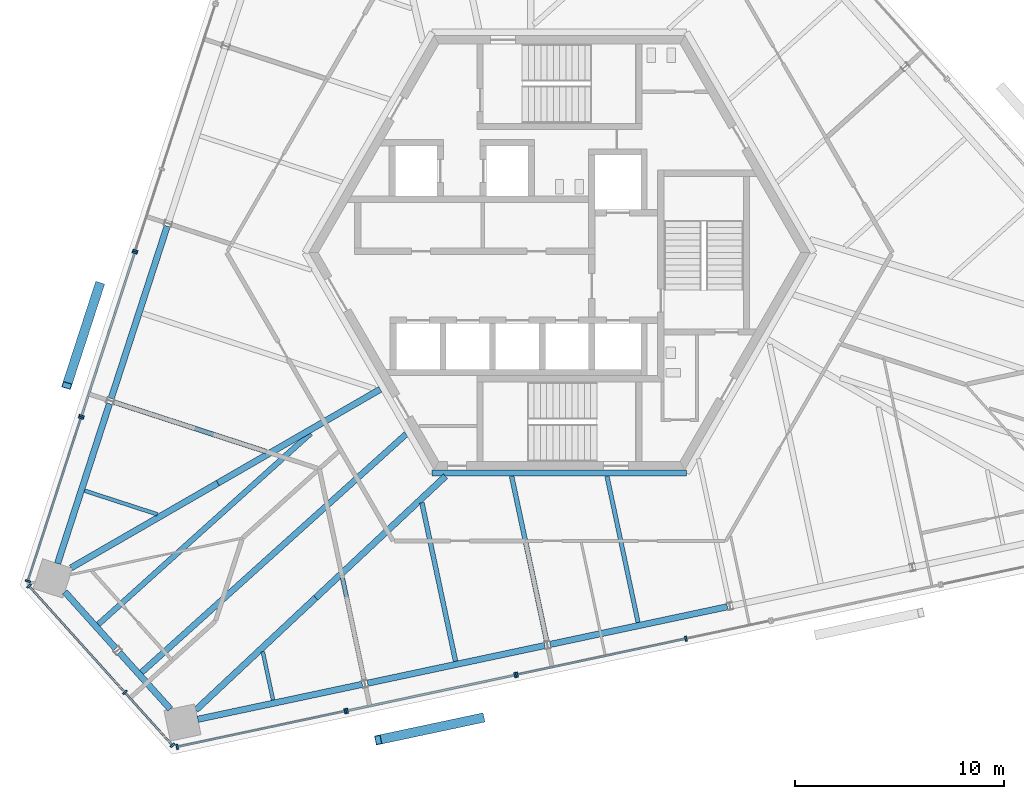
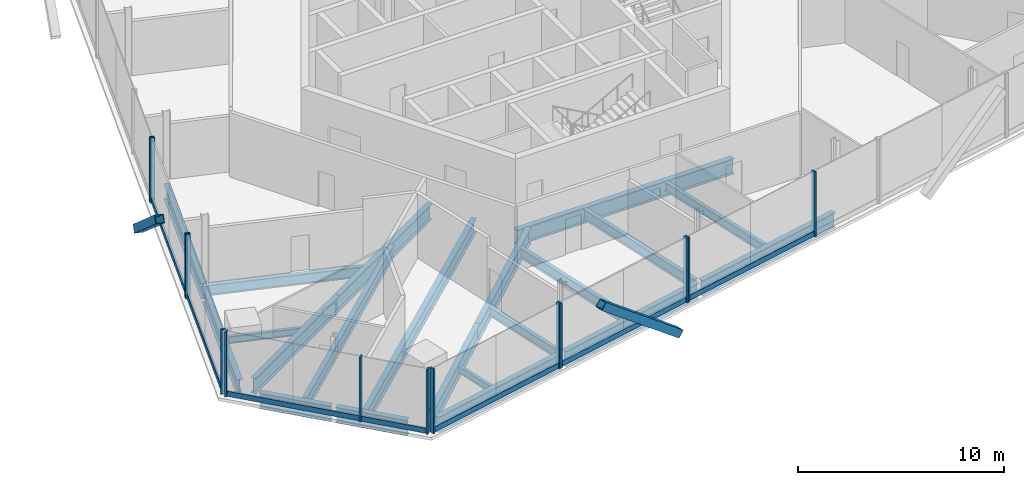
# One storey, part 4 of 14: 23 members, 21 beams, 7 elements without a shape of their own.
"""IFC4 building model written with IfcOpenShell, lengths in metres."""

from ifc_helpers import new_model, si_unit, direction, frame, origin, origin_2d, place, context, subcontext, project, spatial, rectangle, hollow_rectangle, i_section, extrude, source, transform, mapped, material, material_profile, profile_set, type_object, element, aggregate, save


model = new_model("IFC4")

# Units and contexts
model_context = context("Model", 3, precision=1e-05, world=origin(), true_north=direction((0.0, 1.0)))
body_context = subcontext(model_context, "Body", "Model", "MODEL_VIEW")
ifc_project = project(units=[si_unit("LENGTHUNIT", "METRE"), si_unit("AREAUNIT", "SQUARE_METRE"), si_unit("VOLUMEUNIT", "CUBIC_METRE"), si_unit("PLANEANGLEUNIT", "RADIAN"), si_unit("MASSUNIT", "GRAM", prefix="KILO")], contexts=[model_context])

# Site, building, storey
site_placement = place(None, origin())
site = spatial("IfcSite", under=ifc_project, at=site_placement, CompositionType="ELEMENT")
building_placement = place(site_placement, origin())
building = spatial("IfcBuilding", under=site, at=building_placement, Name="Triune Harvest Tower", CompositionType="ELEMENT")
storey_placement = place(building_placement, frame((0.0, 0.0, 284.699951171875)))
storey = spatial("IfcBuildingStorey", under=building, at=storey_placement, Name="L75", CompositionType="ELEMENT", Elevation=284.699951171875)

# Beams
ifc_material_1 = material(Name="Steel ASTM A992 Gr 50", Category="steel")
ifc_material_profile_1 = material_profile(ifc_material_1, i_section(OverallWidth=0.3046875, OverallDepth=0.914306640625, WebThickness=0.0166015625, FlangeThickness=0.02587890625, at=origin_2d()), Name="W36x160")
ifc_profile_set_1 = profile_set([ifc_material_profile_1], Name="Steel ASTM A992 Gr 50")
beam_type_1 = type_object("IfcBeamType", Name="CG-1 Core ring girder W36x160", PredefinedType="BEAM", material=ifc_profile_set_1)
shared_shape_1 = source(origin(), body_context, "Body", "SweptSolid", [
    extrude(i_section(OverallWidth=0.3046875, OverallDepth=0.914306640625, WebThickness=0.0166015625, FlangeThickness=0.02587890625, at=origin_2d()), origin(), (0.0, 0.0, 1.0), 12.17578125),
])
beam_1_placement = place(storey_placement, frame((-6.087890625, -10.544677734375, -0.63720703125), z_axis=(1.0, 0.0, 0.0), x_axis=(0.0, 1.0, 0.0)))
element("IfcBeam", 1, at=beam_1_placement, inside=storey, type_object=beam_type_1, Name="beam/L75/CG5", PredefinedType="BEAM", context=body_context, shape_type="MappedRepresentation", body=[
    mapped(shared_shape_1, transform((0.0, 0.0, 0.0), scale=1.0)),
])
ifc_material_2 = material(Name="Steel ASTM A992 Gr 50", Category="steel")
ifc_material_profile_2 = material_profile(ifc_material_2, i_section(OverallWidth=0.3046875, OverallDepth=0.914306640625, WebThickness=0.0166015625, FlangeThickness=0.02587890625, at=origin_2d()), Name="W36x160")
ifc_profile_set_2 = profile_set([ifc_material_profile_2], Name="Steel ASTM A992 Gr 50")
beam_type_2 = type_object("IfcBeamType", Name="HG-3 Hip girder W36x160", PredefinedType="BEAM", material=ifc_profile_set_2)
shared_shape_2 = source(origin(), body_context, "Body", "SweptSolid", [
    extrude(i_section(OverallWidth=0.3046875, OverallDepth=0.914306640625, WebThickness=0.0166015625, FlangeThickness=0.02587890625, at=origin_2d()), origin(), (0.0, 0.0, 1.0), 8.97265625),
])
beam_2_placement = place(storey_placement, frame((-16.34619140625, -11.02734375, -0.63720703125), z_axis=(0.866024277037, 0.500001951578, 0.0), x_axis=(-0.500001951578, 0.866024277037, 0.0)))
element("IfcBeam", 2, at=beam_2_placement, inside=storey, type_object=beam_type_2, Name="beam/L75/HG5", PredefinedType="BEAM", context=body_context, shape_type="MappedRepresentation", body=[
    mapped(shared_shape_2, transform((0.0, 0.0, 0.0), scale=1.0)),
])
ifc_material_3 = material(Name="Steel ASTM A992 Gr 50", Category="steel")
ifc_material_profile_3 = material_profile(ifc_material_3, i_section(OverallWidth=0.3046875, OverallDepth=0.914306640625, WebThickness=0.0166015625, FlangeThickness=0.02587890625, at=origin_2d()), Name="W36x160")
ifc_profile_set_3 = profile_set([ifc_material_profile_3], Name="Steel ASTM A992 Gr 50")
beam_type_3 = type_object("IfcBeamType", Name="SB-1 Spandrel beam W36x160", PredefinedType="SPANDREL", material=ifc_profile_set_3)
shared_shape_3 = source(origin(), body_context, "Body", "SweptSolid", [
    extrude(i_section(OverallWidth=0.3046875, OverallDepth=0.914306640625, WebThickness=0.0166015625, FlangeThickness=0.02587890625, at=origin_2d()), origin(), (0.0, 0.0, 1.0), 8.0498046875),
])
beam_3_placement = place(storey_placement, frame((-21.529296875, -7.220703125, -0.63720703125), z_axis=(-0.30902160762, -0.951055017348, 0.0), x_axis=(0.951055017348, -0.30902160762, 0.0)))
element("IfcBeam", 3, at=beam_3_placement, inside=storey, type_object=beam_type_3, Name="beam/L75/SB12", PredefinedType="SPANDREL", context=body_context, shape_type="MappedRepresentation", body=[
    mapped(shared_shape_3, transform((0.0, 0.0, 0.0), scale=1.0)),
])
shared_shape_4 = source(origin(), body_context, "Body", "SweptSolid", [
    extrude(i_section(OverallWidth=0.3046875, OverallDepth=0.914306640625, WebThickness=0.0166015625, FlangeThickness=0.02587890625, at=origin_2d()), origin(), (0.0, 0.0, 1.0), 8.67138671875),
])
for number, where, z_axis, x_axis, name in (
    (4, (-18.7705078125, 1.270263671875, -0.63720703125), (-0.309022409974, -0.951054756643, 0.0), (0.951054756643, -0.309022409974, 0.0), "beam/L75/SB11"),
    (5, (-9.1806640625, -20.603271484375, -0.63720703125), (0.978145539793, 0.207921386546, 0.0), (-0.207921386546, 0.978145539793, 0.0), "beam/L75/SB16"),
    (6, (-0.44775390625, -18.7470703125, -0.63720703125), (0.978145539793, 0.207921386546, 0.0), (-0.207921386546, 0.978145539793, 0.0), "beam/L75/SB17"),
):
    element("IfcBeam", number, at=place(storey_placement, frame(where, z_axis=z_axis, x_axis=x_axis)), inside=storey, type_object=beam_type_3, Name=name, PredefinedType="SPANDREL", context=body_context, shape_type="MappedRepresentation", body=[
        mapped(shared_shape_4, transform((0.0, 0.0, 0.0), scale=1.0)),
    ])
shared_shape_5 = source(origin(), body_context, "Body", "SweptSolid", [
    extrude(i_section(OverallWidth=0.3046875, OverallDepth=0.914306640625, WebThickness=0.0166015625, FlangeThickness=0.02587890625, at=origin_2d()), origin(), (0.0, 0.0, 1.0), 3.645751953125),
])
for number, where, z_axis, x_axis, name in (
    (7, (-23.669189453125, -16.2333984375, -0.63720703125), (0.669138606654, -0.743137621901, 0.0), (0.743137621901, 0.669138606654, 0.0), "beam/L75/SB13"),
    (8, (-21.05810546875, -19.13330078125, -0.63720703125), (0.669138606654, -0.743137621901, 0.0), (0.743137621901, 0.669138606654, 0.0), "beam/L75/SB14"),
):
    element("IfcBeam", number, at=place(storey_placement, frame(where, z_axis=z_axis, x_axis=x_axis)), inside=storey, type_object=beam_type_3, Name=name, PredefinedType="SPANDREL", context=body_context, shape_type="MappedRepresentation", body=[
        mapped(shared_shape_5, transform((0.0, 0.0, 0.0), scale=1.0)),
    ])
shared_shape_6 = source(origin(), body_context, "Body", "SweptSolid", [
    extrude(i_section(OverallWidth=0.3046875, OverallDepth=0.914306640625, WebThickness=0.0166015625, FlangeThickness=0.02587890625, at=origin_2d()), origin(), (0.0, 0.0, 1.0), 8.049560546875),
])
beam_4_placement = place(storey_placement, frame((-17.305419921875, -22.330322265625, -0.63720703125), z_axis=(0.978148597907, 0.207906999431, 0.0), x_axis=(-0.207906999431, 0.978148597907, 0.0)))
element("IfcBeam", 9, at=beam_4_placement, inside=storey, type_object=beam_type_3, Name="beam/L75/SB15", PredefinedType="SPANDREL", context=body_context, shape_type="MappedRepresentation", body=[
    mapped(shared_shape_6, transform((0.0, 0.0, 0.0), scale=1.0)),
])
shared_shape_7 = source(origin(), body_context, "Body", "SweptSolid", [
    extrude(i_section(OverallWidth=0.3046875, OverallDepth=0.914306640625, WebThickness=0.0166015625, FlangeThickness=0.02587890625, at=origin_2d()), origin(), (0.0, 0.0, 1.0), 8.11572265625),
])
beam_5_placement = place(storey_placement, frame((-23.37451171875, -15.085205078125, -0.63720703125), z_axis=(0.866022271607, 0.500005425051, 0.0), x_axis=(-0.500005425051, 0.866022271607, 0.0)))
element("IfcBeam", 10, at=beam_5_placement, inside=storey, type_object=beam_type_2, Name="beam/L75/HG4", PredefinedType="BEAM", context=body_context, shape_type="MappedRepresentation", body=[
    mapped(shared_shape_7, transform((0.0, 0.0, 0.0), scale=1.0)),
])
shared_shape_8 = source(origin(), body_context, "Body", "SweptSolid", [
    extrude(i_section(OverallWidth=0.3046875, OverallDepth=0.914306640625, WebThickness=0.0166015625, FlangeThickness=0.02587890625, at=origin_2d()), origin(), (0.0, 0.0, 1.0), 7.858642578125),
])
beam_6_placement = place(storey_placement, frame((-17.399658203125, -21.88720703125, -0.63720703125), z_axis=(0.729902338859, 0.683551443367, 0.0), x_axis=(-0.683551443367, 0.729902338859, 0.0)))
element("IfcBeam", 11, at=beam_6_placement, inside=storey, type_object=beam_type_2, Name="beam/L75/HG6", PredefinedType="BEAM", context=body_context, shape_type="MappedRepresentation", body=[
    mapped(shared_shape_8, transform((0.0, 0.0, 0.0), scale=1.0)),
])
shared_shape_9 = source(origin(), body_context, "Body", "SweptSolid", [
    extrude(i_section(OverallWidth=0.3046875, OverallDepth=0.914306640625, WebThickness=0.0166015625, FlangeThickness=0.02587890625, at=origin_2d()), origin(), (0.0, 0.0, 1.0), 8.511962890625),
])
beam_7_placement = place(storey_placement, frame((-11.66357421875, -16.515380859375, -0.63720703125), z_axis=(0.729902036757, 0.683551765954, 0.0), x_axis=(-0.683551765954, 0.729902036757, 0.0)))
element("IfcBeam", 12, at=beam_7_placement, inside=storey, type_object=beam_type_2, Name="beam/L75/HG7", PredefinedType="BEAM", context=body_context, shape_type="MappedRepresentation", body=[
    mapped(shared_shape_9, transform((0.0, 0.0, 0.0), scale=1.0)),
])
ifc_material_4 = material(Name="Steel ASTM A992 Gr 50", Category="steel")
ifc_material_profile_4 = material_profile(ifc_material_4, i_section(OverallWidth=0.180908203125, OverallDepth=0.41650390625, WebThickness=0.010986328125, FlangeThickness=0.01806640625, at=origin_2d()), Name="W16x57")
ifc_profile_set_4 = profile_set([ifc_material_profile_4], Name="Steel ASTM A992 Gr 50")
beam_type_4 = type_object("IfcBeamType", Name="JT-1 Floor joist W16x57", PredefinedType="JOIST", material=ifc_profile_set_4)
shared_shape_10 = source(origin(), body_context, "Body", "SweptSolid", [
    extrude(i_section(OverallWidth=0.180908203125, OverallDepth=0.41650390625, WebThickness=0.010986328125, FlangeThickness=0.01806640625, at=origin_2d()), origin(), (0.0, 0.0, 1.0), 2.364990234375),
])
beam_8_placement = place(storey_placement, frame((-13.704345703125, -21.4091796875, -0.38818359375), z_axis=(-0.207914315996, 0.978147042731, 0.0), x_axis=(-0.978147042731, -0.207914315996, 0.0)))
element("IfcBeam", 13, at=beam_8_placement, inside=storey, type_object=beam_type_4, Name="beam/L75/JT23", PredefinedType="JOIST", context=body_context, shape_type="MappedRepresentation", body=[
    mapped(shared_shape_10, transform((0.0, 0.0, 0.0), scale=1.0)),
])
ifc_material_5 = material(Name="Steel ASTM A992 Gr 50", Category="steel")
ifc_material_profile_5 = material_profile(ifc_material_5, i_section(OverallWidth=0.2099609375, OverallDepth=0.535888671875, WebThickness=0.010986328125, FlangeThickness=0.017333984375, at=origin_2d()), Name="W21x68")
ifc_profile_set_5 = profile_set([ifc_material_profile_5], Name="Steel ASTM A992 Gr 50")
beam_type_5 = type_object("IfcBeamType", Name="JT-2 Floor joist W21x68", PredefinedType="JOIST", material=ifc_profile_set_5)
shared_shape_11 = source(origin(), body_context, "Body", "SweptSolid", [
    extrude(i_section(OverallWidth=0.2099609375, OverallDepth=0.535888671875, WebThickness=0.010986328125, FlangeThickness=0.017333984375, at=origin_2d()), origin(), (0.0, 0.0, 1.0), 5.031982421875),
])
beam_9_placement = place(storey_placement, frame((-9.34375, -20.45361328125, -0.447998046875), z_axis=(-0.207895312057, 0.978151082004, 0.0), x_axis=(-0.978151082004, -0.207895312057, 0.0)))
element("IfcBeam", 14, at=beam_9_placement, inside=storey, type_object=beam_type_5, Name="beam/L75/JT24", PredefinedType="JOIST", context=body_context, shape_type="MappedRepresentation", body=[
    mapped(shared_shape_11, transform((0.0, 0.0, 0.0), scale=1.0)),
])
ifc_material_6 = material(Name="Steel ASTM A992 Gr 50", Category="steel")
ifc_material_profile_6 = material_profile(ifc_material_6, i_section(OverallWidth=0.22900390625, OverallDepth=0.612060546875, WebThickness=0.011962890625, FlangeThickness=0.01953125, at=origin_2d()), Name="W24x84")
ifc_profile_set_6 = profile_set([ifc_material_profile_6], Name="Steel ASTM A992 Gr 50")
beam_type_6 = type_object("IfcBeamType", Name="JT-3 Floor joist W24x84", PredefinedType="JOIST", material=ifc_profile_set_6)
shared_shape_12 = source(origin(), body_context, "Body", "SweptSolid", [
    extrude(i_section(OverallWidth=0.22900390625, OverallDepth=0.612060546875, WebThickness=0.011962890625, FlangeThickness=0.01953125, at=origin_2d()), origin(), (0.0, 0.0, 1.0), 7.755126953125),
])
beam_10_placement = place(storey_placement, frame((-4.971435546875, -19.552734375, -0.486083984375), z_axis=(-0.20790130149, 0.978149808996, 0.0), x_axis=(-0.978149808996, -0.20790130149, 0.0)))
element("IfcBeam", 15, at=beam_10_placement, inside=storey, type_object=beam_type_6, Name="beam/L75/JT25", PredefinedType="JOIST", context=body_context, shape_type="MappedRepresentation", body=[
    mapped(shared_shape_12, transform((0.0, 0.0, 0.0), scale=1.0)),
])
shared_shape_13 = source(origin(), body_context, "Body", "SweptSolid", [
    extrude(i_section(OverallWidth=0.22900390625, OverallDepth=0.612060546875, WebThickness=0.011962890625, FlangeThickness=0.01953125, at=origin_2d()), origin(), (0.0, 0.0, 1.0), 8.076904296875),
])
beam_11_placement = place(storey_placement, frame((-0.61083984375, -18.597412109375, -0.486083984375), z_axis=(-0.207902137341, 0.978149631339, 0.0), x_axis=(-0.978149631339, -0.207902137341, 0.0)))
element("IfcBeam", 16, at=beam_11_placement, inside=storey, type_object=beam_type_6, Name="beam/L75/JT26", PredefinedType="JOIST", context=body_context, shape_type="MappedRepresentation", body=[
    mapped(shared_shape_13, transform((0.0, 0.0, 0.0), scale=1.0)),
])
shared_shape_14 = source(origin(), body_context, "Body", "SweptSolid", [
    extrude(i_section(OverallWidth=0.22900390625, OverallDepth=0.612060546875, WebThickness=0.011962890625, FlangeThickness=0.01953125, at=origin_2d()), origin(), (0.0, 0.0, 1.0), 7.6533203125),
])
beam_12_placement = place(storey_placement, frame((-21.318115234375, -7.154541015625, -0.486083984375), z_axis=(0.951057977144, -0.309012498309, 0.0), x_axis=(0.309012498309, 0.951057977144, 0.0)))
element("IfcBeam", 17, at=beam_12_placement, inside=storey, type_object=beam_type_6, Name="beam/L75/JT19", PredefinedType="JOIST", context=body_context, shape_type="MappedRepresentation", body=[
    mapped(shared_shape_14, transform((0.0, 0.0, 0.0), scale=1.0)),
])
shared_shape_15 = source(origin(), body_context, "Body", "SweptSolid", [
    extrude(i_section(OverallWidth=0.180908203125, OverallDepth=0.41650390625, WebThickness=0.010986328125, FlangeThickness=0.01806640625, at=origin_2d()), origin(), (0.0, 0.0, 1.0), 3.661865234375),
])
beam_13_placement = place(storey_placement, frame((-22.72412109375, -11.391357421875, -0.38818359375), z_axis=(0.951056113966, -0.309018232614, 0.0), x_axis=(0.309018232614, 0.951056113966, 0.0)))
element("IfcBeam", 18, at=beam_13_placement, inside=storey, type_object=beam_type_4, Name="beam/L75/JT20", PredefinedType="JOIST", context=body_context, shape_type="MappedRepresentation", body=[
    mapped(shared_shape_15, transform((0.0, 0.0, 0.0), scale=1.0)),
])
ifc_material_7 = material(Name="Steel ASTM A992 Gr 50", Category="steel")
ifc_material_profile_7 = material_profile(ifc_material_7, i_section(OverallWidth=0.2666015625, OverallDepth=0.7568359375, WebThickness=0.013916015625, FlangeThickness=0.019287109375, at=origin_2d()), Name="W30x108")
ifc_profile_set_7 = profile_set([ifc_material_profile_7], Name="Steel ASTM A992 Gr 50")
beam_type_7 = type_object("IfcBeamType", Name="JT-5 Floor joist W30x108", PredefinedType="JOIST", material=ifc_profile_set_7)
shared_shape_16 = source(origin(), body_context, "Body", "SweptSolid", [
    extrude(i_section(OverallWidth=0.2666015625, OverallDepth=0.7568359375, WebThickness=0.013916015625, FlangeThickness=0.019287109375, at=origin_2d()), origin(), (0.0, 0.0, 1.0), 13.667724609375),
])
beam_14_placement = place(storey_placement, frame((-22.0654296875, -17.78662109375, -0.558349609375), z_axis=(0.743148465952, 0.66912656318, 0.0), x_axis=(-0.66912656318, 0.743148465952, 0.0)))
element("IfcBeam", 19, at=beam_14_placement, inside=storey, type_object=beam_type_7, Name="beam/L75/JT21", PredefinedType="JOIST", context=body_context, shape_type="MappedRepresentation", body=[
    mapped(shared_shape_16, transform((0.0, 0.0, 0.0), scale=1.0)),
])
ifc_material_8 = material(Name="Steel ASTM A992 Gr 50", Category="steel")
ifc_material_profile_8 = material_profile(ifc_material_8, i_section(OverallWidth=0.2919921875, OverallDepth=0.8408203125, WebThickness=0.0146484375, FlangeThickness=0.021728515625, at=origin_2d()), Name="W33x130")
ifc_profile_set_8 = profile_set([ifc_material_profile_8], Name="Steel ASTM A992 Gr 50")
beam_type_8 = type_object("IfcBeamType", Name="JT-6 Floor joist W33x130", PredefinedType="JOIST", material=ifc_profile_set_8)
shared_shape_17 = source(origin(), body_context, "Body", "SweptSolid", [
    extrude(i_section(OverallWidth=0.2919921875, OverallDepth=0.8408203125, WebThickness=0.0146484375, FlangeThickness=0.021728515625, at=origin_2d()), origin(), (0.0, 0.0, 1.0), 17.03466796875),
])
beam_15_placement = place(storey_placement, frame((-19.99560546875, -20.08544921875, -0.600341796875), z_axis=(0.743143047387, 0.669132581123, 0.0), x_axis=(-0.669132581123, 0.743143047387, 0.0)))
element("IfcBeam", 20, at=beam_15_placement, inside=storey, type_object=beam_type_8, Name="beam/L75/JT22", PredefinedType="JOIST", context=body_context, shape_type="MappedRepresentation", body=[
    mapped(shared_shape_17, transform((0.0, 0.0, 0.0), scale=1.0)),
])
shared_shape_18 = source(origin(), body_context, "Body", "SweptSolid", [
    extrude(i_section(OverallWidth=0.2099609375, OverallDepth=0.535888671875, WebThickness=0.010986328125, FlangeThickness=0.017333984375, at=origin_2d()), origin(), (0.0, 0.0, 1.0), 7.156005859375),
])
beam_16_placement = place(storey_placement, frame((3.761474609375, -17.696533203125, -0.447998046875), z_axis=(-0.207911801049, 0.978147577303, 0.0), x_axis=(-0.978147577303, -0.207911801049, 0.0)))
element("IfcBeam", 21, at=beam_16_placement, inside=storey, type_object=beam_type_5, Name="beam/L75/JT27", PredefinedType="JOIST", context=body_context, shape_type="MappedRepresentation", body=[
    mapped(shared_shape_18, transform((0.0, 0.0, 0.0), scale=1.0)),
])

# Members
ifc_material_9 = material(Name="Steel ASTM A572 Gr 50", Category="steel")
ifc_material_profile_9 = material_profile(ifc_material_9, hollow_rectangle(XDim=0.449951171875, YDim=0.449951171875, WallThickness=0.02490234375, at=origin_2d()), Name="Box 450x450x25")
ifc_profile_set_9 = profile_set([ifc_material_profile_9], Name="Steel ASTM A572 Gr 50")
member_type_1 = type_object("IfcMemberType", Name="BR-4 Brace Box 450x450x25", PredefinedType="BRACE", material=ifc_profile_set_9)
shared_shape_19 = source(origin(), body_context, "Body", "SweptSolid", [
    extrude(hollow_rectangle(XDim=0.449951171875, YDim=0.449951171875, WallThickness=0.02490234375, at=origin_2d()), origin(), (0.0, 0.0, 1.0), 6.4326171875),
])
member_1_placement = place(storey_placement, frame((-3.746826171875, -22.2705078125, 0.0), z_axis=(-0.766029669925, -0.162823528909, 0.621841654465), x_axis=(0.207910342213, -0.978147887388, 0.0)))
element("IfcMember", 22, at=member_1_placement, inside=storey, type_object=member_type_1, Name="brace/B7-F5/d2/8", PredefinedType="BRACE", context=body_context, shape_type="MappedRepresentation", body=[
    mapped(shared_shape_19, transform((0.0, 0.0, 0.0), scale=1.0)),
])
shared_shape_20 = source(origin(), body_context, "Body", "SweptSolid", [
    extrude(hollow_rectangle(XDim=0.449951171875, YDim=0.449951171875, WallThickness=0.02490234375, at=origin_2d()), origin(), (0.0, 0.0, 1.0), 6.432373046875),
])
member_2_placement = place(storey_placement, frame((-22.01708984375, -1.568359375, 0.0), z_axis=(-0.241996489905, -0.744814792645, 0.621842925127), x_axis=(0.951059708424, -0.309007169839, 0.0)))
element("IfcMember", 23, at=member_2_placement, inside=storey, type_object=member_type_1, Name="brace/B7-F3/d1/8", PredefinedType="BRACE", context=body_context, shape_type="MappedRepresentation", body=[
    mapped(shared_shape_20, transform((0.0, 0.0, 0.0), scale=1.0)),
])

# Curtain wall, member
ifc_material_10 = material(Name="Aluminium bronze anodised", Category="aluminium")
curtain_wall_type_1 = type_object("IfcCurtainWallType", Name="CW-4 Sky lobby tall glazing wall", PredefinedType="NOTDEFINED", material=ifc_material_10)
curtain_wall_1_placement = place(storey_placement, origin())
curtain_wall_1 = element("IfcCurtainWall", 24, at=curtain_wall_1_placement, inside=storey, type_object=curtain_wall_type_1, Name="CW-4 B7-F3 L75 run 2001")
ifc_material_11 = material(Name="Aluminium bronze anodised", Category="aluminium")
ifc_material_profile_10 = material_profile(ifc_material_11, rectangle(XDim=0.25, YDim=0.090087890625, at=origin_2d()), Name="MU-4 mullion 90 x 250")
ifc_profile_set_10 = profile_set([ifc_material_profile_10], Name="Aluminium bronze anodised")
member_type_2 = type_object("IfcMemberType", Name="MU-4 mullion 90 x 250", PredefinedType="MULLION", material=ifc_profile_set_10)
shared_shape_21 = source(origin(), body_context, "Body", "SweptSolid", [
    extrude(rectangle(XDim=0.25, YDim=0.090087890625, at=origin_2d()), origin(), (0.0, 0.0, 1.0), 3.820068359375),
])
member_3_placement = place(storey_placement, frame((-20.29638671875, 0.08740234375, 0.0), z_axis=(0.0, 0.0, 1.0), x_axis=(0.951054284615, -0.309023862696, 0.0)))
member_3 = element("IfcMember", 25, at=member_3_placement, type_object=member_type_2, Name="CW-4 mullion B7-F3 2001.4", PredefinedType="MULLION", context=body_context, shape_type="MappedRepresentation", body=[
    mapped(shared_shape_21, transform((0.0, 0.0, 0.0), scale=1.0)),
])
aggregate(curtain_wall_1, [member_3])

# Curtain wall, members
ifc_material_12 = material(Name="Aluminium bronze anodised", Category="aluminium")
curtain_wall_type_2 = type_object("IfcCurtainWallType", Name="CW-9 Sky lobby tall glazing wall with insulated spandrel infill", PredefinedType="NOTDEFINED", material=ifc_material_12)
curtain_wall_2_placement = place(storey_placement, origin())
curtain_wall_2 = element("IfcCurtainWall", 26, at=curtain_wall_2_placement, inside=storey, type_object=curtain_wall_type_2, Name="CW-9 B7-F3 L75 run 3001")
member_4_placement = place(storey_placement, frame((-20.32421875, 0.001953125, 0.0), z_axis=(0.0, 0.0, 1.0), x_axis=(0.951057407868, -0.309014250382, 0.0)))
member_4 = element("IfcMember", 27, at=member_4_placement, type_object=member_type_2, Name="CW-9 mullion B7-F3 3001.1", PredefinedType="MULLION", context=body_context, shape_type="MappedRepresentation", body=[
    mapped(shared_shape_21, transform((0.0, 0.0, 0.0), scale=1.0)),
])
member_5_placement = place(storey_placement, frame((-22.86474609375, -7.8173828125, 0.0), z_axis=(0.0, 0.0, 1.0), x_axis=(0.951057407868, -0.309014250382, 0.0)))
member_5 = element("IfcMember", 28, at=member_5_placement, type_object=member_type_2, Name="CW-9 mullion B7-F3 3001.3", PredefinedType="MULLION", context=body_context, shape_type="MappedRepresentation", body=[
    mapped(shared_shape_21, transform((0.0, 0.0, 0.0), scale=1.0)),
])

curtain_wall_3_placement = place(storey_placement, origin())
curtain_wall_3 = element("IfcCurtainWall", 29, at=curtain_wall_3_placement, inside=storey, type_object=curtain_wall_type_1, Name="CW-4 B7-F3 L75 run 4001")
member_6_placement = place(storey_placement, frame((-22.892578125, -7.90283203125, 0.0), z_axis=(0.0, 0.0, 1.0), x_axis=(0.95105786974, -0.309012828869, 0.0)))
member_6 = element("IfcMember", 30, at=member_6_placement, type_object=member_type_2, Name="CW-4 mullion B7-F3 4001.1", PredefinedType="MULLION", context=body_context, shape_type="MappedRepresentation", body=[
    mapped(shared_shape_21, transform((0.0, 0.0, 0.0), scale=1.0)),
])
member_7_placement = place(storey_placement, frame((-25.43310546875, -15.72216796875, 0.0), z_axis=(0.0, 0.0, 1.0), x_axis=(0.95105786974, -0.309012828869, 0.0)))
member_7 = element("IfcMember", 31, at=member_7_placement, type_object=member_type_2, Name="CW-4 mullion B7-F3 4001.3", PredefinedType="MULLION", context=body_context, shape_type="MappedRepresentation", body=[
    mapped(shared_shape_21, transform((0.0, 0.0, 0.0), scale=1.0)),
])

curtain_wall_4_placement = place(storey_placement, origin())
curtain_wall_4 = element("IfcCurtainWall", 32, at=curtain_wall_4_placement, inside=storey, type_object=curtain_wall_type_1, Name="CW-4 B7-F4 L75 run 1")
member_8_placement = place(storey_placement, frame((-25.384521484375, -15.950927734375, 0.0), z_axis=(0.0, 0.0, 1.0), x_axis=(0.743143542297, 0.669132031472, 0.0)))
member_8 = element("IfcMember", 33, at=member_8_placement, type_object=member_type_2, Name="CW-4 mullion B7-F4 1.1", PredefinedType="MULLION", context=body_context, shape_type="MappedRepresentation", body=[
    mapped(shared_shape_21, transform((0.0, 0.0, 0.0), scale=1.0)),
])
member_9_placement = place(storey_placement, frame((-20.7958984375, -21.046875, 0.0), z_axis=(0.0, 0.0, 1.0), x_axis=(0.743143542297, 0.669132031472, 0.0)))
member_9 = element("IfcMember", 34, at=member_9_placement, type_object=member_type_2, Name="CW-4 mullion B7-F4 1.3", PredefinedType="MULLION", context=body_context, shape_type="MappedRepresentation", body=[
    mapped(shared_shape_21, transform((0.0, 0.0, 0.0), scale=1.0)),
])
member_10_placement = place(storey_placement, frame((-18.516845703125, -23.578125, 0.0), z_axis=(0.0, 0.0, 1.0), x_axis=(0.743143542297, 0.669132031472, 0.0)))
member_10 = element("IfcMember", 35, at=member_10_placement, type_object=member_type_2, Name="CW-4 mullion B7-F4 1.4", PredefinedType="MULLION", context=body_context, shape_type="MappedRepresentation", body=[
    mapped(shared_shape_21, transform((0.0, 0.0, 0.0), scale=1.0)),
])

curtain_wall_5_placement = place(storey_placement, origin())
curtain_wall_5 = element("IfcCurtainWall", 36, at=curtain_wall_5_placement, inside=storey, type_object=curtain_wall_type_1, Name="CW-4 B7-F5 L75 run 1")
member_11_placement = place(storey_placement, frame((-18.29443359375, -23.650390625, 0.0), z_axis=(0.0, 0.0, 1.0), x_axis=(-0.207912869922, 0.978147350107, 0.0)))
member_11 = element("IfcMember", 37, at=member_11_placement, type_object=member_type_2, Name="CW-4 mullion B7-F5 1.1", PredefinedType="MULLION", context=body_context, shape_type="MappedRepresentation", body=[
    mapped(shared_shape_21, transform((0.0, 0.0, 0.0), scale=1.0)),
])
member_12_placement = place(storey_placement, frame((-10.25244140625, -21.94091796875, 0.0), z_axis=(0.0, 0.0, 1.0), x_axis=(-0.207912869922, 0.978147350107, 0.0)))
member_12 = element("IfcMember", 38, at=member_12_placement, type_object=member_type_2, Name="CW-4 mullion B7-F5 1.3", PredefinedType="MULLION", context=body_context, shape_type="MappedRepresentation", body=[
    mapped(shared_shape_21, transform((0.0, 0.0, 0.0), scale=1.0)),
])

curtain_wall_6_placement = place(storey_placement, origin())
curtain_wall_6 = element("IfcCurtainWall", 39, at=curtain_wall_6_placement, inside=storey, type_object=curtain_wall_type_2, Name="CW-9 B7-F5 L75 run 1001")
member_13_placement = place(storey_placement, frame((-10.16455078125, -21.92236328125, 0.0), z_axis=(0.0, 0.0, 1.0), x_axis=(-0.207904370622, 0.978149156661, 0.0)))
member_13 = element("IfcMember", 40, at=member_13_placement, type_object=member_type_2, Name="CW-9 mullion B7-F5 1001.1", PredefinedType="MULLION", context=body_context, shape_type="MappedRepresentation", body=[
    mapped(shared_shape_21, transform((0.0, 0.0, 0.0), scale=1.0)),
])
member_14_placement = place(storey_placement, frame((-2.12255859375, -20.212890625, 0.0), z_axis=(0.0, 0.0, 1.0), x_axis=(-0.207904370622, 0.978149156661, 0.0)))
member_14 = element("IfcMember", 41, at=member_14_placement, type_object=member_type_2, Name="CW-9 mullion B7-F5 1001.3", PredefinedType="MULLION", context=body_context, shape_type="MappedRepresentation", body=[
    mapped(shared_shape_21, transform((0.0, 0.0, 0.0), scale=1.0)),
])

curtain_wall_7_placement = place(storey_placement, origin())
curtain_wall_7 = element("IfcCurtainWall", 42, at=curtain_wall_7_placement, inside=storey, type_object=curtain_wall_type_1, Name="CW-4 B7-F5 L75 run 2001")
member_15_placement = place(storey_placement, frame((-2.03466796875, -20.1943359375, 0.0), z_axis=(0.0, 0.0, 1.0), x_axis=(-0.207917272266, 0.978146414344, 0.0)))
member_15 = element("IfcMember", 43, at=member_15_placement, type_object=member_type_2, Name="CW-4 mullion B7-F5 2001.1", PredefinedType="MULLION", context=body_context, shape_type="MappedRepresentation", body=[
    mapped(shared_shape_21, transform((0.0, 0.0, 0.0), scale=1.0)),
])
member_16_placement = place(storey_placement, frame((6.051513671875, -18.4755859375, 0.0), z_axis=(0.0, 0.0, 1.0), x_axis=(-0.207917272266, 0.978146414344, 0.0)))
member_16 = element("IfcMember", 44, at=member_16_placement, type_object=member_type_2, Name="CW-4 mullion B7-F5 2001.3", PredefinedType="MULLION", context=body_context, shape_type="MappedRepresentation", body=[
    mapped(shared_shape_21, transform((0.0, 0.0, 0.0), scale=1.0)),
])

# Member
ifc_material_13 = material(Name="Aluminium bronze anodised", Category="aluminium")
ifc_material_profile_11 = material_profile(ifc_material_13, rectangle(XDim=0.10009765625, YDim=0.300048828125, at=origin_2d()), Name="TR-4 transom 100 x 300")
ifc_profile_set_11 = profile_set([ifc_material_profile_11], Name="Aluminium bronze anodised")
member_type_3 = type_object("IfcMemberType", Name="TR-4 transom 100 x 300", PredefinedType="USERDEFINED", material=ifc_profile_set_11)
shared_shape_22 = source(origin(), body_context, "Body", "SweptSolid", [
    extrude(rectangle(XDim=0.10009765625, YDim=0.300048828125, at=origin_2d()), origin(), (0.0, 0.0, 1.0), 8.13134765625),
])
member_17_placement = place(storey_placement, frame((-20.337890625, -0.041015625, 0.150146484375), z_axis=(-0.309039906886, -0.951049071264, 0.0), x_axis=(0.951049071264, -0.309039906886, 0.0)))
member_17 = element("IfcMember", 45, at=member_17_placement, type_object=member_type_3, Name="CW-9 transom B7-F3 3001.1", ObjectType="TRANSOM", PredefinedType="USERDEFINED", context=body_context, shape_type="MappedRepresentation", body=[
    mapped(shared_shape_22, transform((0.0, 0.0, 0.0), scale=1.0)),
])

aggregate(curtain_wall_2, [member_4, member_5, member_17])

member_18_placement = place(storey_placement, frame((-22.906494140625, -7.94580078125, 0.150146484375), z_axis=(-0.309012749717, -0.951057895458, 0.0), x_axis=(0.951057895458, -0.309012749717, 0.0)))
member_18 = element("IfcMember", 46, at=member_18_placement, type_object=member_type_3, Name="CW-4 transom B7-F3 4001.1", ObjectType="TRANSOM", PredefinedType="USERDEFINED", context=body_context, shape_type="MappedRepresentation", body=[
    mapped(shared_shape_22, transform((0.0, 0.0, 0.0), scale=1.0)),
])

aggregate(curtain_wall_3, [member_6, member_7, member_18])

member_19_placement = place(storey_placement, frame((-10.120361328125, -21.912841796875, 0.150146484375), z_axis=(0.978151677393, 0.207892510721, 0.0), x_axis=(-0.207892510721, 0.978151677393, 0.0)))
member_19 = element("IfcMember", 47, at=member_19_placement, type_object=member_type_3, Name="CW-9 transom B7-F5 1001.1", ObjectType="TRANSOM", PredefinedType="USERDEFINED", context=body_context, shape_type="MappedRepresentation", body=[
    mapped(shared_shape_22, transform((0.0, 0.0, 0.0), scale=1.0)),
])

aggregate(curtain_wall_6, [member_13, member_14, member_19])

shared_shape_23 = source(origin(), body_context, "Body", "SweptSolid", [
    extrude(rectangle(XDim=0.10009765625, YDim=0.300048828125, at=origin_2d()), origin(), (0.0, 0.0, 1.0), 8.131591796875),
])
member_20_placement = place(storey_placement, frame((-18.25048828125, -23.640869140625, 0.150146484375), z_axis=(0.978146869379, 0.20791513154, 0.0), x_axis=(-0.20791513154, 0.978146869379, 0.0)))
member_20 = element("IfcMember", 48, at=member_20_placement, type_object=member_type_3, Name="CW-4 transom B7-F5 1.1", ObjectType="TRANSOM", PredefinedType="USERDEFINED", context=body_context, shape_type="MappedRepresentation", body=[
    mapped(shared_shape_23, transform((0.0, 0.0, 0.0), scale=1.0)),
])

aggregate(curtain_wall_5, [member_11, member_12, member_20])

shared_shape_24 = source(origin(), body_context, "Body", "SweptSolid", [
    extrude(rectangle(XDim=0.10009765625, YDim=0.300048828125, at=origin_2d()), origin(), (0.0, 0.0, 1.0), 8.176513671875),
])
member_21_placement = place(storey_placement, frame((-1.990478515625, -20.184814453125, 0.150146484375), z_axis=(0.978148453308, 0.207907679733, 0.0), x_axis=(-0.207907679733, 0.978148453308, 0.0)))
member_21 = element("IfcMember", 49, at=member_21_placement, type_object=member_type_3, Name="CW-4 transom B7-F5 2001.1", ObjectType="TRANSOM", PredefinedType="USERDEFINED", context=body_context, shape_type="MappedRepresentation", body=[
    mapped(shared_shape_24, transform((0.0, 0.0, 0.0), scale=1.0)),
])

aggregate(curtain_wall_7, [member_15, member_16, member_21])

shared_shape_25 = source(origin(), body_context, "Body", "SweptSolid", [
    extrude(rectangle(XDim=0.10009765625, YDim=0.300048828125, at=origin_2d()), origin(), (0.0, 0.0, 1.0), 6.76708984375),
])
member_22_placement = place(storey_placement, frame((-25.354248046875, -15.984375, 0.150146484375), z_axis=(0.669122180246, -0.743152412297, 0.0), x_axis=(0.743152412297, 0.669122180246, 0.0)))
member_22 = element("IfcMember", 50, at=member_22_placement, type_object=member_type_3, Name="CW-4 transom B7-F4 1.1", ObjectType="TRANSOM", PredefinedType="USERDEFINED", context=body_context, shape_type="MappedRepresentation", body=[
    mapped(shared_shape_25, transform((0.0, 0.0, 0.0), scale=1.0)),
])

shared_shape_26 = source(origin(), body_context, "Body", "SweptSolid", [
    extrude(rectangle(XDim=0.10009765625, YDim=0.300048828125, at=origin_2d()), origin(), (0.0, 0.0, 1.0), 3.316162109375),
])
member_23_placement = place(storey_placement, frame((-20.765869140625, -21.080322265625, 0.150146484375), z_axis=(0.669143681053, -0.743133052762, 0.0), x_axis=(0.743133052762, 0.669143681053, 0.0)))
member_23 = element("IfcMember", 51, at=member_23_placement, type_object=member_type_3, Name="CW-4 transom B7-F4 1.2", ObjectType="TRANSOM", PredefinedType="USERDEFINED", context=body_context, shape_type="MappedRepresentation", body=[
    mapped(shared_shape_26, transform((0.0, 0.0, 0.0), scale=1.0)),
])

aggregate(curtain_wall_4, [member_8, member_9, member_10, member_22, member_23])

save(model, "model.ifc")
